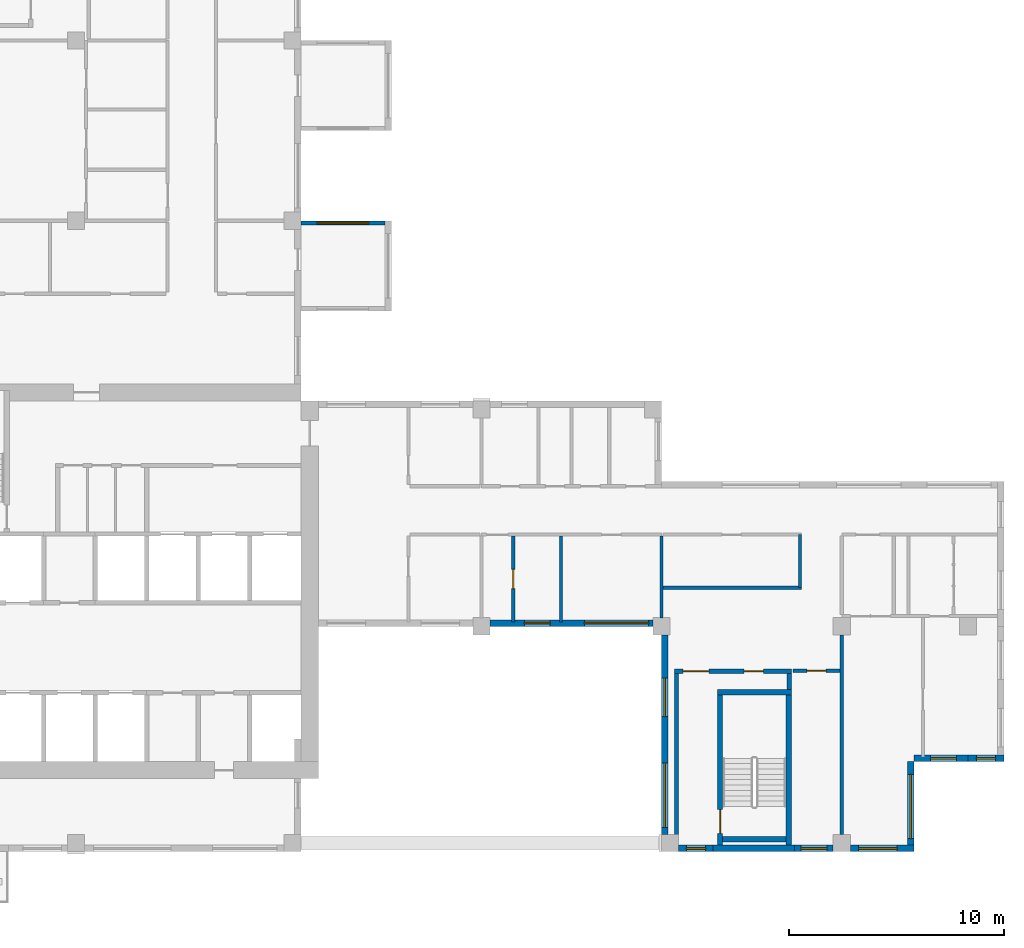
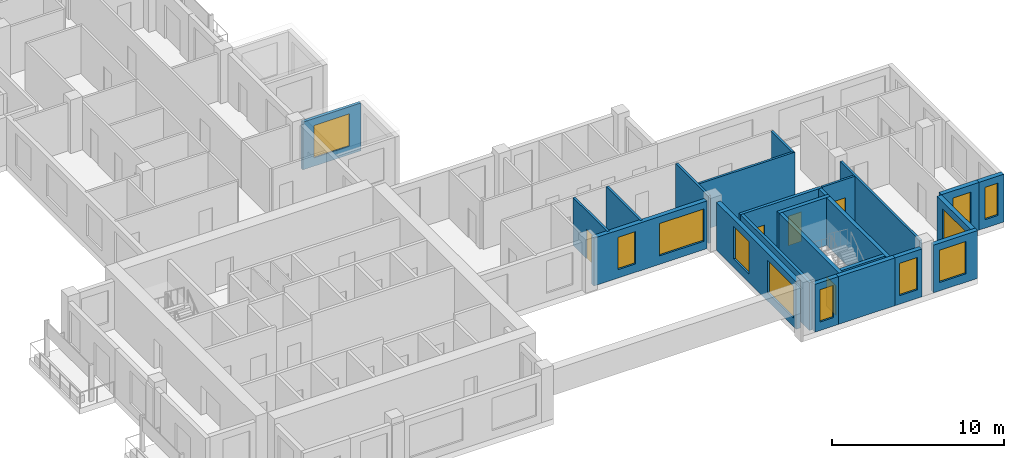
# One storey, part 4 of 11: 24 walls, 11 windows, 5 doors, 16 openings.
"""IFC4 building model written with IfcOpenShell, lengths in metres."""

from ifc_helpers import new_model, si_unit, direction, frame, frame_2d, origin, place, context, subcontext, project, spatial, rectangle, extrude, source, transform, mapped, material, layer, layer_set, type_object, element, fill, save


model = new_model("IFC4")

# Units and contexts
model_context = context("Model", 3, precision=1e-05, world=origin(), true_north=direction((0.0, 1.0)))
body_context = subcontext(model_context, "Body", "Model", "MODEL_VIEW")
ifc_project = project(units=[si_unit("LENGTHUNIT", "METRE"), si_unit("AREAUNIT", "SQUARE_METRE"), si_unit("VOLUMEUNIT", "CUBIC_METRE"), si_unit("PLANEANGLEUNIT", "RADIAN"), si_unit("MASSUNIT", "GRAM", prefix="KILO")], contexts=[model_context])

# Site, building, storey
site_placement = place(None, origin())
site = spatial("IfcSite", under=ifc_project, at=site_placement, CompositionType="ELEMENT")
building_placement = place(site_placement, origin())
building = spatial("IfcBuilding", under=site, at=building_placement, Name="Aurelian Terraces", CompositionType="ELEMENT")
storey_placement = place(building_placement, frame((0.0, 0.0, 261.4)))
storey = spatial("IfcBuildingStorey", under=building, at=storey_placement, Name="L60", CompositionType="ELEMENT", Elevation=261.4)

# Wall, opening, window
ifc_material_1 = material(Name="Terracotta rainscreen cladding", Category="masonry")
ifc_layer_1 = layer(ifc_material_1, 0.3)
ifc_layer_set_1 = layer_set([ifc_layer_1], Name="EW-300")
wall_type_1 = type_object("IfcWallType", Name="EW-300", PredefinedType="STANDARD", material=ifc_layer_set_1)
shared_shape_1 = source(origin(), body_context, "Body", "SweptSolid", [
    extrude(rectangle(XDim=4.2, YDim=0.3, at=frame_2d((2.1, 0.0))), origin(), (0.0, 0.0, 1.0), 3.4),
])
wall_1_placement = place(storey_placement, frame((49.41, 0.0, 0.0), z_axis=(0.0, 0.0, 1.0), x_axis=(0.0, 1.0, 0.0)))
wall_1 = element("IfcWall", 1, at=wall_1_placement, inside=storey, type_object=wall_type_1, Name="External wall L60 F06.11", PredefinedType="STANDARD", context=body_context, shape_type="MappedRepresentation", body=[
    mapped(shared_shape_1, transform((0.0, 0.0, 0.0), scale=1.0)),
])
shared_shape_2 = source(origin(), body_context, "Body", "SweptSolid", [
    extrude(rectangle(XDim=3.0, YDim=2.3, at=frame_2d((1.5, 1.15))), frame((0.0, 0.16, 0.0), z_axis=(0.0, -1.0, 0.0), x_axis=(1.0, 0.0, 0.0)), (0.0, 0.0, 1.0), 0.32),
])
opening_1_placement = place(wall_1_placement, frame((0.6, 0.0, 0.6)))
opening_1 = element("IfcOpeningElement", 2, at=opening_1_placement, cuts=wall_1, Name="Opening W3023", PredefinedType="OPENING", context=body_context, shape_type="MappedRepresentation", body=[
    mapped(shared_shape_2, transform((0.0, 0.0, 0.0), scale=1.0)),
])
ifc_material_2 = material(Name="Clear glazing", Category="glass")
window_type_1 = type_object("IfcWindowType", Name="W-3000x2300", PartitioningType="SINGLE_PANEL", PredefinedType="WINDOW", material=ifc_material_2)
shared_shape_3 = source(origin(), body_context, "Body", "SweptSolid", [
    extrude(rectangle(XDim=3.0, YDim=2.3, at=frame_2d((1.5, 1.15))), frame((0.0, 0.03, 0.0), z_axis=(0.0, -1.0, 0.0), x_axis=(1.0, 0.0, 0.0)), (0.0, 0.0, 1.0), 0.06),
])
window_1_placement = place(opening_1_placement, origin())
window_1 = element("IfcWindow", 3, at=window_1_placement, inside=storey, type_object=window_type_1, Name="Window L60 L60-F06-11-0", OverallHeight=2.3, OverallWidth=3.0, PartitioningType="SINGLE_PANEL", PredefinedType="WINDOW", context=body_context, shape_type="MappedRepresentation", body=[
    mapped(shared_shape_3, transform((0.0, 0.0, 0.0), scale=1.0)),
])
fill(opening_1, window_1)

shared_shape_4 = source(origin(), body_context, "Body", "SweptSolid", [
    extrude(rectangle(XDim=2.52, YDim=0.3, at=frame_2d((1.26, 0.0))), origin(), (0.0, 0.0, 1.0), 3.4),
])
wall_2_placement = place(storey_placement, frame((49.56, 4.35, 0.0), z_axis=(0.0, 0.0, 1.0), x_axis=(1.0, 0.0, 0.0)))
wall_2 = element("IfcWall", 4, at=wall_2_placement, inside=storey, type_object=wall_type_1, Name="External wall L60 F07.12", PredefinedType="STANDARD", context=body_context, shape_type="MappedRepresentation", body=[
    mapped(shared_shape_4, transform((0.0, 0.0, 0.0), scale=1.0)),
])
shared_shape_5 = source(origin(), body_context, "Body", "SweptSolid", [
    extrude(rectangle(XDim=1.2, YDim=2.3, at=frame_2d((0.6, 1.15))), frame((0.0, 0.16, 0.0), z_axis=(0.0, -1.0, 0.0), x_axis=(1.0, 0.0, 0.0)), (0.0, 0.0, 1.0), 0.32),
])
opening_2_placement = place(wall_2_placement, frame((0.7775, 0.0, 0.6)))
opening_2 = element("IfcOpeningElement", 5, at=opening_2_placement, cuts=wall_2, Name="Opening W1223", PredefinedType="OPENING", context=body_context, shape_type="MappedRepresentation", body=[
    mapped(shared_shape_5, transform((0.0, 0.0, 0.0), scale=1.0)),
])
window_type_2 = type_object("IfcWindowType", Name="W-1200x2300", PartitioningType="SINGLE_PANEL", PredefinedType="WINDOW", material=ifc_material_2)
shared_shape_6 = source(origin(), body_context, "Body", "SweptSolid", [
    extrude(rectangle(XDim=1.2, YDim=2.3, at=frame_2d((0.6, 1.15))), frame((0.0, 0.03, 0.0), z_axis=(0.0, -1.0, 0.0), x_axis=(1.0, 0.0, 0.0)), (0.0, 0.0, 1.0), 0.06),
])
window_2_placement = place(opening_2_placement, origin())
window_2 = element("IfcWindow", 6, at=window_2_placement, inside=storey, type_object=window_type_2, Name="Window L60 L60-F07-12-P0", OverallHeight=2.3, OverallWidth=1.2, PartitioningType="SINGLE_PANEL", PredefinedType="WINDOW", context=body_context, shape_type="MappedRepresentation", body=[
    mapped(shared_shape_6, transform((0.0, 0.0, 0.0), scale=1.0)),
])
fill(opening_2, window_2)

shared_shape_7 = source(origin(), body_context, "Body", "SweptSolid", [
    extrude(rectangle(XDim=1.68, YDim=0.3, at=frame_2d((0.84, 0.0))), origin(), (0.0, 0.0, 1.0), 3.4),
])
wall_3_placement = place(storey_placement, frame((52.08, 4.35, 0.0), z_axis=(0.0, 0.0, 1.0), x_axis=(1.0, 0.0, 0.0)))
wall_3 = element("IfcWall", 7, at=wall_3_placement, inside=storey, type_object=wall_type_1, Name="External wall L60 F07.13", PredefinedType="STANDARD", context=body_context, shape_type="MappedRepresentation", body=[
    mapped(shared_shape_7, transform((0.0, 0.0, 0.0), scale=1.0)),
])
shared_shape_8 = source(origin(), body_context, "Body", "SweptSolid", [
    extrude(rectangle(XDim=0.9, YDim=2.3, at=frame_2d((0.45, 1.15))), frame((0.0, 0.16, 0.0), z_axis=(0.0, -1.0, 0.0), x_axis=(1.0, 0.0, 0.0)), (0.0, 0.0, 1.0), 0.32),
])
opening_3_placement = place(wall_3_placement, frame((0.39, 0.0, 0.6)))
opening_3 = element("IfcOpeningElement", 8, at=opening_3_placement, cuts=wall_3, Name="Opening W0923", PredefinedType="OPENING", context=body_context, shape_type="MappedRepresentation", body=[
    mapped(shared_shape_8, transform((0.0, 0.0, 0.0), scale=1.0)),
])
window_type_3 = type_object("IfcWindowType", Name="W-900x2300", PartitioningType="SINGLE_PANEL", PredefinedType="WINDOW", material=ifc_material_2)
shared_shape_9 = source(origin(), body_context, "Body", "SweptSolid", [
    extrude(rectangle(XDim=0.9, YDim=2.3, at=frame_2d((0.45, 1.15))), frame((0.0, 0.03, 0.0), z_axis=(0.0, -1.0, 0.0), x_axis=(1.0, 0.0, 0.0)), (0.0, 0.0, 1.0), 0.06),
])
window_3_placement = place(opening_3_placement, origin())
window_3 = element("IfcWindow", 9, at=window_3_placement, inside=storey, type_object=window_type_3, Name="Window L60 L60-F07-13-P0", OverallHeight=2.3, OverallWidth=0.9, PartitioningType="SINGLE_PANEL", PredefinedType="WINDOW", context=body_context, shape_type="MappedRepresentation", body=[
    mapped(shared_shape_9, transform((0.0, 0.0, 0.0), scale=1.0)),
])
fill(opening_3, window_3)

ifc_material_3 = material(Name="Concrete fc' 40 MPa", Category="concrete")
ifc_layer_2 = layer(ifc_material_3, 0.2)
ifc_layer_set_2 = layer_set([ifc_layer_2], Name="BOX BEARING WALL 200")
wall_type_2 = type_object("IfcWallType", Name="BOX BEARING WALL 200", PredefinedType="SOLIDWALL", material=ifc_layer_set_2)
shared_shape_10 = source(origin(), body_context, "Body", "SweptSolid", [
    extrude(rectangle(XDim=3.9, YDim=0.2, at=frame_2d((1.95, 0.0))), origin(), (0.0, 0.0, 1.0), 3.4),
])
wall_4_placement = place(storey_placement, frame((21.0, 29.3, 0.0), z_axis=(0.0, 0.0, 1.0), x_axis=(1.0, 0.0, 0.0)))
wall_4 = element("IfcWall", 10, at=wall_4_placement, inside=storey, type_object=wall_type_2, Name="Box return L60 J86.2", PredefinedType="SOLIDWALL", context=body_context, shape_type="MappedRepresentation", body=[
    mapped(shared_shape_10, transform((0.0, 0.0, 0.0), scale=1.0)),
])
shared_shape_11 = source(origin(), body_context, "Body", "SweptSolid", [
    extrude(rectangle(XDim=2.4, YDim=2.3, at=frame_2d((1.2, 1.15))), frame((0.0, 0.11, 0.0), z_axis=(0.0, -1.0, 0.0), x_axis=(1.0, 0.0, 0.0)), (0.0, 0.0, 1.0), 0.22),
])
opening_4_placement = place(wall_4_placement, frame((0.75, 0.0, 0.6)))
opening_4 = element("IfcOpeningElement", 11, at=opening_4_placement, cuts=wall_4, Name="Opening W2423", PredefinedType="OPENING", context=body_context, shape_type="MappedRepresentation", body=[
    mapped(shared_shape_11, transform((0.0, 0.0, 0.0), scale=1.0)),
])
window_type_4 = type_object("IfcWindowType", Name="W-2400x2300", PartitioningType="SINGLE_PANEL", PredefinedType="WINDOW", material=ifc_material_2)
shared_shape_12 = source(origin(), body_context, "Body", "SweptSolid", [
    extrude(rectangle(XDim=2.4, YDim=2.3, at=frame_2d((1.2, 1.15))), frame((0.0, 0.03, 0.0), z_axis=(0.0, -1.0, 0.0), x_axis=(1.0, 0.0, 0.0)), (0.0, 0.0, 1.0), 0.06),
])
window_4_placement = place(opening_4_placement, origin())
window_4 = element("IfcWindow", 12, at=window_4_placement, inside=storey, type_object=window_type_4, Name="Window L60 J86-S2", OverallHeight=2.3, OverallWidth=2.4, PartitioningType="SINGLE_PANEL", PredefinedType="WINDOW", context=body_context, shape_type="MappedRepresentation", body=[
    mapped(shared_shape_12, transform((0.0, 0.0, 0.0), scale=1.0)),
])
fill(opening_4, window_4)

# Wall
ifc_layer_3 = layer(ifc_material_3, 0.3)
ifc_layer_set_3 = layer_set([ifc_layer_3], Name="STAIR BAY WALL 300")
wall_type_3 = type_object("IfcWallType", Name="STAIR BAY WALL 300", PredefinedType="SOLIDWALL", material=ifc_layer_set_3)
shared_shape_13 = source(origin(), body_context, "Body", "SweptSolid", [
    extrude(rectangle(XDim=3.8, YDim=0.3, at=frame_2d((1.9, 0.0))), origin(), (0.0, 0.0, 1.0), 3.4),
])
wall_5_placement = place(storey_placement, frame((40.2, 0.15, 0.0), z_axis=(0.0, 0.0, 1.0), x_axis=(1.0, 0.0, 0.0)))
element("IfcWall", 13, at=wall_5_placement, inside=storey, type_object=wall_type_3, Name="Stair bay wall L60 F05.9", PredefinedType="SOLIDWALL", context=body_context, shape_type="MappedRepresentation", body=[
    mapped(shared_shape_13, transform((0.0, 0.0, 0.0), scale=1.0)),
])

# Wall, openings, windows
shared_shape_14 = source(origin(), body_context, "Body", "SweptSolid", [
    extrude(rectangle(XDim=7.6, YDim=0.3, at=frame_2d((3.8, 0.0))), origin(), (0.0, 0.0, 1.0), 3.4),
])
wall_6_placement = place(storey_placement, frame((29.8, 10.65, 0.0), z_axis=(0.0, 0.0, 1.0), x_axis=(1.0, 0.0, 0.0)))
wall_6 = element("IfcWall", 14, at=wall_6_placement, inside=storey, type_object=wall_type_1, Name="External wall L60 F03.7", PredefinedType="STANDARD", context=body_context, shape_type="MappedRepresentation", body=[
    mapped(shared_shape_14, transform((0.0, 0.0, 0.0), scale=1.0)),
])
opening_5_placement = place(wall_6_placement, frame((1.6015, 0.0, 0.6)))
opening_5 = element("IfcOpeningElement", 15, at=opening_5_placement, cuts=wall_6, Name="Opening W1223", PredefinedType="OPENING", context=body_context, shape_type="MappedRepresentation", body=[
    mapped(shared_shape_5, transform((0.0, 0.0, 0.0), scale=1.0)),
])
opening_6_placement = place(wall_6_placement, frame((4.4, 0.0, 0.6)))
opening_6 = element("IfcOpeningElement", 16, at=opening_6_placement, cuts=wall_6, Name="Opening W3023", PredefinedType="OPENING", context=body_context, shape_type="MappedRepresentation", body=[
    mapped(shared_shape_2, transform((0.0, 0.0, 0.0), scale=1.0)),
])
window_5_placement = place(opening_6_placement, origin())
window_5 = element("IfcWindow", 17, at=window_5_placement, inside=storey, type_object=window_type_1, Name="Window L60 L60-F03-07-1", OverallHeight=2.3, OverallWidth=3.0, PartitioningType="SINGLE_PANEL", PredefinedType="WINDOW", context=body_context, shape_type="MappedRepresentation", body=[
    mapped(shared_shape_3, transform((0.0, 0.0, 0.0), scale=1.0)),
])
fill(opening_6, window_5)
window_6_placement = place(opening_5_placement, origin())
window_6 = element("IfcWindow", 18, at=window_6_placement, inside=storey, type_object=window_type_2, Name="Window L60 L60-F03-07-0", OverallHeight=2.3, OverallWidth=1.2, PartitioningType="SINGLE_PANEL", PredefinedType="WINDOW", context=body_context, shape_type="MappedRepresentation", body=[
    mapped(shared_shape_6, transform((0.0, 0.0, 0.0), scale=1.0)),
])
fill(opening_5, window_6)

# Wall, opening, window
shared_shape_15 = source(origin(), body_context, "Body", "SweptSolid", [
    extrude(rectangle(XDim=2.96, YDim=0.3, at=frame_2d((1.48, 0.0))), origin(), (0.0, 0.0, 1.0), 3.4),
])
wall_7_placement = place(storey_placement, frame((46.6, 0.15, 0.0), z_axis=(0.0, 0.0, 1.0), x_axis=(1.0, 0.0, 0.0)))
wall_7 = element("IfcWall", 19, at=wall_7_placement, inside=storey, type_object=wall_type_1, Name="External wall L60 F05.10", PredefinedType="STANDARD", context=body_context, shape_type="MappedRepresentation", body=[
    mapped(shared_shape_15, transform((0.0, 0.0, 0.0), scale=1.0)),
])
shared_shape_16 = source(origin(), body_context, "Body", "SweptSolid", [
    extrude(rectangle(XDim=1.8, YDim=2.3, at=frame_2d((0.9, 1.15))), frame((0.0, 0.16, 0.0), z_axis=(0.0, -1.0, 0.0), x_axis=(1.0, 0.0, 0.0)), (0.0, 0.0, 1.0), 0.32),
])
opening_7_placement = place(wall_7_placement, frame((0.38, 0.0, 0.6)))
opening_7 = element("IfcOpeningElement", 20, at=opening_7_placement, cuts=wall_7, Name="Opening W1823", PredefinedType="OPENING", context=body_context, shape_type="MappedRepresentation", body=[
    mapped(shared_shape_16, transform((0.0, 0.0, 0.0), scale=1.0)),
])
window_type_5 = type_object("IfcWindowType", Name="W-1800x2300", PartitioningType="SINGLE_PANEL", PredefinedType="WINDOW", material=ifc_material_2)
shared_shape_17 = source(origin(), body_context, "Body", "SweptSolid", [
    extrude(rectangle(XDim=1.8, YDim=2.3, at=frame_2d((0.9, 1.15))), frame((0.0, 0.03, 0.0), z_axis=(0.0, -1.0, 0.0), x_axis=(1.0, 0.0, 0.0)), (0.0, 0.0, 1.0), 0.06),
])
window_7_placement = place(opening_7_placement, origin())
window_7 = element("IfcWindow", 21, at=window_7_placement, inside=storey, type_object=window_type_5, Name="Window L60 L60-F05-10-0", OverallHeight=2.3, OverallWidth=1.8, PartitioningType="SINGLE_PANEL", PredefinedType="WINDOW", context=body_context, shape_type="MappedRepresentation", body=[
    mapped(shared_shape_17, transform((0.0, 0.0, 0.0), scale=1.0)),
])
fill(opening_7, window_7)

shared_shape_18 = source(origin(), body_context, "Body", "SweptSolid", [
    extrude(rectangle(XDim=1.8, YDim=0.3, at=frame_2d((0.9, 0.0))), origin(), (0.0, 0.0, 1.0), 3.4),
])
wall_8_placement = place(storey_placement, frame((44.0, 0.15, 0.0), z_axis=(0.0, 0.0, 1.0), x_axis=(1.0, 0.0, 0.0)))
wall_8 = element("IfcWall", 22, at=wall_8_placement, inside=storey, type_object=wall_type_1, Name="External wall L60 F05.9", PredefinedType="STANDARD", context=body_context, shape_type="MappedRepresentation", body=[
    mapped(shared_shape_18, transform((0.0, 0.0, 0.0), scale=1.0)),
])
opening_8_placement = place(wall_8_placement, frame((0.3, 0.0, 0.6)))
opening_8 = element("IfcOpeningElement", 23, at=opening_8_placement, cuts=wall_8, Name="Opening W1223", PredefinedType="OPENING", context=body_context, shape_type="MappedRepresentation", body=[
    mapped(shared_shape_5, transform((0.0, 0.0, 0.0), scale=1.0)),
])
window_8_placement = place(opening_8_placement, origin())
window_8 = element("IfcWindow", 24, at=window_8_placement, inside=storey, type_object=window_type_2, Name="Window L60 L60-F05-09-P2", OverallHeight=2.3, OverallWidth=1.2, PartitioningType="SINGLE_PANEL", PredefinedType="WINDOW", context=body_context, shape_type="MappedRepresentation", body=[
    mapped(shared_shape_6, transform((0.0, 0.0, 0.0), scale=1.0)),
])
fill(opening_8, window_8)

# Wall, openings, windows
shared_shape_19 = source(origin(), body_context, "Body", "SweptSolid", [
    extrude(rectangle(XDim=9.3, YDim=0.3, at=frame_2d((4.65, 0.0))), origin(), (0.0, 0.0, 1.0), 3.4),
])
wall_9_placement = place(storey_placement, frame((37.95, 10.1, 0.0), z_axis=(0.0, 0.0, 1.0), x_axis=(0.0, -1.0, 0.0)))
wall_9 = element("IfcWall", 25, at=wall_9_placement, inside=storey, type_object=wall_type_1, Name="External wall L60 F04.8", PredefinedType="STANDARD", context=body_context, shape_type="MappedRepresentation", body=[
    mapped(shared_shape_19, transform((0.0, 0.0, 0.0), scale=1.0)),
])
opening_9_placement = place(wall_9_placement, frame((2.0125, 0.0, 0.6)))
opening_9 = element("IfcOpeningElement", 26, at=opening_9_placement, cuts=wall_9, Name="Opening W1823", PredefinedType="OPENING", context=body_context, shape_type="MappedRepresentation", body=[
    mapped(shared_shape_16, transform((0.0, 0.0, 0.0), scale=1.0)),
])
opening_10_placement = place(wall_9_placement, frame((5.975, 0.0, 0.6)))
opening_10 = element("IfcOpeningElement", 27, at=opening_10_placement, cuts=wall_9, Name="Opening W3023", PredefinedType="OPENING", context=body_context, shape_type="MappedRepresentation", body=[
    mapped(shared_shape_2, transform((0.0, 0.0, 0.0), scale=1.0)),
])
window_9_placement = place(opening_10_placement, origin())
window_9 = element("IfcWindow", 28, at=window_9_placement, inside=storey, type_object=window_type_1, Name="Window L60 L60-F04-08-1", OverallHeight=2.3, OverallWidth=3.0, PartitioningType="SINGLE_PANEL", PredefinedType="WINDOW", context=body_context, shape_type="MappedRepresentation", body=[
    mapped(shared_shape_3, transform((0.0, 0.0, 0.0), scale=1.0)),
])
fill(opening_10, window_9)
window_10_placement = place(opening_9_placement, origin())
window_10 = element("IfcWindow", 29, at=window_10_placement, inside=storey, type_object=window_type_5, Name="Window L60 L60-F04-08-0", OverallHeight=2.3, OverallWidth=1.8, PartitioningType="SINGLE_PANEL", PredefinedType="WINDOW", context=body_context, shape_type="MappedRepresentation", body=[
    mapped(shared_shape_17, transform((0.0, 0.0, 0.0), scale=1.0)),
])
fill(opening_9, window_10)

# Wall, opening, window
shared_shape_20 = source(origin(), body_context, "Body", "SweptSolid", [
    extrude(rectangle(XDim=1.6, YDim=0.3, at=frame_2d((0.8, 0.0))), origin(), (0.0, 0.0, 1.0), 3.4),
])
wall_10_placement = place(storey_placement, frame((38.6, 0.15, 0.0), z_axis=(0.0, 0.0, 1.0), x_axis=(1.0, 0.0, 0.0)))
wall_10 = element("IfcWall", 30, at=wall_10_placement, inside=storey, type_object=wall_type_1, Name="External wall L60 F05.9", PredefinedType="STANDARD", context=body_context, shape_type="MappedRepresentation", body=[
    mapped(shared_shape_20, transform((0.0, 0.0, 0.0), scale=1.0)),
])
opening_11_placement = place(wall_10_placement, frame((0.35, 0.0, 0.6)))
opening_11 = element("IfcOpeningElement", 31, at=opening_11_placement, cuts=wall_10, Name="Opening W0923", PredefinedType="OPENING", context=body_context, shape_type="MappedRepresentation", body=[
    mapped(shared_shape_8, transform((0.0, 0.0, 0.0), scale=1.0)),
])
window_11_placement = place(opening_11_placement, origin())
window_11 = element("IfcWindow", 32, at=window_11_placement, inside=storey, type_object=window_type_3, Name="Window L60 L60-F05-09-P0", OverallHeight=2.3, OverallWidth=0.9, PartitioningType="SINGLE_PANEL", PredefinedType="WINDOW", context=body_context, shape_type="MappedRepresentation", body=[
    mapped(shared_shape_9, transform((0.0, 0.0, 0.0), scale=1.0)),
])
fill(opening_11, window_11)

# Wall, opening, door
ifc_layer_4 = layer(ifc_material_3, 0.25)
ifc_layer_set_4 = layer_set([ifc_layer_4], Name="Stair enclosure wall 250")
wall_type_4 = type_object("IfcWallType", Name="Stair enclosure wall 250", PredefinedType="SOLIDWALL", material=ifc_layer_set_4)
shared_shape_21 = source(origin(), body_context, "Body", "SweptSolid", [
    extrude(rectangle(XDim=7.0, YDim=0.25, at=frame_2d((3.5, 0.0))), origin(), (0.0, 0.0, 1.0), 3.4),
])
wall_11_placement = place(storey_placement, frame((40.525, 0.3, 0.0), z_axis=(0.0, 0.0, 1.0), x_axis=(0.0, 1.0, 0.0)))
wall_11 = element("IfcWall", 33, at=wall_11_placement, inside=storey, type_object=wall_type_4, Name="L60 core wall ST-S2-W", PredefinedType="SOLIDWALL", context=body_context, shape_type="MappedRepresentation", body=[
    mapped(shared_shape_21, transform((0.0, 0.0, 0.0), scale=1.0)),
])
shared_shape_22 = source(origin(), body_context, "Body", "SweptSolid", [
    extrude(rectangle(XDim=1.1, YDim=2.1, at=frame_2d((0.55, 1.05))), frame((0.0, 0.135, 0.0), z_axis=(0.0, -1.0, 0.0), x_axis=(1.0, 0.0, 0.0)), (0.0, 0.0, 1.0), 0.27),
])
opening_12_placement = place(wall_11_placement, frame((0.55, 0.0, 0.0)))
opening_12 = element("IfcOpeningElement", 34, at=opening_12_placement, cuts=wall_11, Name="Opening 66317", PredefinedType="OPENING", context=body_context, shape_type="MappedRepresentation", body=[
    mapped(shared_shape_22, transform((0.0, 0.0, 0.0), scale=1.0)),
])
ifc_material_4 = material(Name="Steel door leaf", Category="steel")
door_type_1 = type_object("IfcDoorType", Name="Core fire door 1100x2100", OperationType="SINGLE_SWING_LEFT", PredefinedType="DOOR", material=ifc_material_4)
shared_shape_23 = source(origin(), body_context, "Body", "SweptSolid", [
    extrude(rectangle(XDim=1.1, YDim=2.1, at=frame_2d((0.55, 1.05))), frame((0.0, 0.025, 0.0), z_axis=(0.0, -1.0, 0.0), x_axis=(1.0, 0.0, 0.0)), (0.0, 0.0, 1.0), 0.05),
])
door_1_placement = place(opening_12_placement, origin())
door_1 = element("IfcDoor", 35, at=door_1_placement, inside=storey, type_object=door_type_1, Name="Stair door 66317", OperationType="SINGLE_SWING_LEFT", OverallHeight=2.1, OverallWidth=1.1, PredefinedType="DOOR", context=body_context, shape_type="MappedRepresentation", body=[
    mapped(shared_shape_23, transform((0.0, 0.0, 0.0), scale=1.0)),
])
fill(opening_12, door_1)

# Walls
wall_12_placement = place(storey_placement, frame((43.725, 0.3, 0.0), z_axis=(0.0, 0.0, 1.0), x_axis=(0.0, 1.0, 0.0)))
element("IfcWall", 36, at=wall_12_placement, inside=storey, type_object=wall_type_4, Name="L60 core wall ST-S2-E", PredefinedType="SOLIDWALL", context=body_context, shape_type="MappedRepresentation", body=[
    mapped(shared_shape_21, transform((0.0, 0.0, 0.0), scale=1.0)),
])
shared_shape_24 = source(origin(), body_context, "Body", "SweptSolid", [
    extrude(rectangle(XDim=3.45, YDim=0.25, at=frame_2d((1.725, 0.0))), origin(), (0.0, 0.0, 1.0), 3.4),
])
wall_13_placement = place(storey_placement, frame((40.4, 7.425, 0.0), z_axis=(0.0, 0.0, 1.0), x_axis=(1.0, 0.0, 0.0)))
element("IfcWall", 37, at=wall_13_placement, inside=storey, type_object=wall_type_4, Name="L60 core wall ST-S2-N", PredefinedType="SOLIDWALL", context=body_context, shape_type="MappedRepresentation", body=[
    mapped(shared_shape_24, transform((0.0, 0.0, 0.0), scale=1.0)),
])
shared_shape_25 = source(origin(), body_context, "Body", "SweptSolid", [
    extrude(rectangle(XDim=2.95, YDim=0.25, at=frame_2d((1.475, 0.0))), origin(), (0.0, 0.0, 1.0), 3.4),
])
wall_14_placement = place(storey_placement, frame((40.65, 0.575, 0.0), z_axis=(0.0, 0.0, 1.0), x_axis=(1.0, 0.0, 0.0)))
element("IfcWall", 38, at=wall_14_placement, inside=storey, type_object=wall_type_4, Name="L60 core wall ST-S2-SS", PredefinedType="SOLIDWALL", context=body_context, shape_type="MappedRepresentation", body=[
    mapped(shared_shape_25, transform((0.0, 0.0, 0.0), scale=1.0)),
])

# Wall, openings, doors
ifc_material_5 = material(Name="Gypsum board on steel studs", Category="steel")
ifc_layer_5 = layer(ifc_material_5, 0.2)
ifc_layer_set_5 = layer_set([ifc_layer_5], Name="Core partition 200")
wall_type_5 = type_object("IfcWallType", Name="Core partition 200", PredefinedType="PARTITIONING", material=ifc_layer_set_5)
shared_shape_26 = source(origin(), body_context, "Body", "SweptSolid", [
    extrude(rectangle(XDim=5.45, YDim=0.2, at=frame_2d((2.725, 0.0))), origin(), (0.0, 0.0, 1.0), 3.4),
])
wall_15_placement = place(storey_placement, frame((38.4, 8.4, 0.0), z_axis=(0.0, 0.0, 1.0), x_axis=(1.0, 0.0, 0.0)))
wall_15 = element("IfcWall", 39, at=wall_15_placement, inside=storey, type_object=wall_type_5, Name="L60 core wall ST-S2-BN", PredefinedType="PARTITIONING", context=body_context, shape_type="MappedRepresentation", body=[
    mapped(shared_shape_26, transform((0.0, 0.0, 0.0), scale=1.0)),
])
shared_shape_27 = source(origin(), body_context, "Body", "SweptSolid", [
    extrude(rectangle(XDim=1.2, YDim=2.1, at=frame_2d((0.6, 1.05))), frame((0.0, 0.11, 0.0), z_axis=(0.0, -1.0, 0.0), x_axis=(1.0, 0.0, 0.0)), (0.0, 0.0, 1.0), 0.22),
])
opening_13_placement = place(wall_15_placement, frame((0.4, 0.0, 0.0)))
opening_13 = element("IfcOpeningElement", 40, at=opening_13_placement, cuts=wall_15, Name="Opening 66318", PredefinedType="OPENING", context=body_context, shape_type="MappedRepresentation", body=[
    mapped(shared_shape_27, transform((0.0, 0.0, 0.0), scale=1.0)),
])
shared_shape_28 = source(origin(), body_context, "Body", "SweptSolid", [
    extrude(rectangle(XDim=0.9, YDim=2.1, at=frame_2d((0.45, 1.05))), frame((0.0, 0.11, 0.0), z_axis=(0.0, -1.0, 0.0), x_axis=(1.0, 0.0, 0.0)), (0.0, 0.0, 1.0), 0.22),
])
opening_14_placement = place(wall_15_placement, frame((3.25, 0.0, 0.0)))
opening_14 = element("IfcOpeningElement", 41, at=opening_14_placement, cuts=wall_15, Name="Opening 66319", PredefinedType="OPENING", context=body_context, shape_type="MappedRepresentation", body=[
    mapped(shared_shape_28, transform((0.0, 0.0, 0.0), scale=1.0)),
])
door_type_2 = type_object("IfcDoorType", Name="Core riser door 900x2100", OperationType="SINGLE_SWING_LEFT", PredefinedType="DOOR", material=ifc_material_4)
shared_shape_29 = source(origin(), body_context, "Body", "SweptSolid", [
    extrude(rectangle(XDim=0.9, YDim=2.1, at=frame_2d((0.45, 1.05))), frame((0.0, 0.025, 0.0), z_axis=(0.0, -1.0, 0.0), x_axis=(1.0, 0.0, 0.0)), (0.0, 0.0, 1.0), 0.05),
])
door_2_placement = place(opening_14_placement, origin())
door_2 = element("IfcDoor", 42, at=door_2_placement, inside=storey, type_object=door_type_2, Name="Riser door 66319", OperationType="SINGLE_SWING_LEFT", OverallHeight=2.1, OverallWidth=0.9, PredefinedType="DOOR", context=body_context, shape_type="MappedRepresentation", body=[
    mapped(shared_shape_29, transform((0.0, 0.0, 0.0), scale=1.0)),
])
fill(opening_14, door_2)
door_type_3 = type_object("IfcDoorType", Name="Core fire door 1200x2100 right", OperationType="SINGLE_SWING_RIGHT", PredefinedType="DOOR", material=ifc_material_4)
shared_shape_30 = source(origin(), body_context, "Body", "SweptSolid", [
    extrude(rectangle(XDim=1.2, YDim=2.1, at=frame_2d((0.6, 1.05))), frame((0.0, 0.025, 0.0), z_axis=(0.0, -1.0, 0.0), x_axis=(1.0, 0.0, 0.0)), (0.0, 0.0, 1.0), 0.05),
])
door_3_placement = place(opening_13_placement, origin())
door_3 = element("IfcDoor", 43, at=door_3_placement, inside=storey, type_object=door_type_3, Name="Vestibule door 66318", OperationType="SINGLE_SWING_RIGHT", OverallHeight=2.1, OverallWidth=1.2, PredefinedType="DOOR", context=body_context, shape_type="MappedRepresentation", body=[
    mapped(shared_shape_30, transform((0.0, 0.0, 0.0), scale=1.0)),
])
fill(opening_13, door_3)

# Walls
shared_shape_31 = source(origin(), body_context, "Body", "SweptSolid", [
    extrude(rectangle(XDim=0.75, YDim=0.2, at=frame_2d((0.375, 0.0))), origin(), (0.0, 0.0, 1.0), 3.4),
])
wall_16_placement = place(storey_placement, frame((43.75, 7.55, 0.0), z_axis=(0.0, 0.0, 1.0), x_axis=(0.0, 1.0, 0.0)))
element("IfcWall", 44, at=wall_16_placement, inside=storey, type_object=wall_type_5, Name="L60 core wall ST-S2-RE", PredefinedType="PARTITIONING", context=body_context, shape_type="MappedRepresentation", body=[
    mapped(shared_shape_31, transform((0.0, 0.0, 0.0), scale=1.0)),
])
shared_shape_32 = source(origin(), body_context, "Body", "SweptSolid", [
    extrude(rectangle(XDim=8.0, YDim=0.2, at=frame_2d((4.0, 0.0))), origin(), (0.0, 0.0, 1.0), 3.4),
])
wall_17_placement = place(storey_placement, frame((38.5, 0.3, 0.0), z_axis=(0.0, 0.0, 1.0), x_axis=(0.0, 1.0, 0.0)))
element("IfcWall", 45, at=wall_17_placement, inside=storey, type_object=wall_type_5, Name="L60 core wall ST-S2-VW", PredefinedType="PARTITIONING", context=body_context, shape_type="MappedRepresentation", body=[
    mapped(shared_shape_32, transform((0.0, 0.0, 0.0), scale=1.0)),
])
ifc_layer_6 = layer(ifc_material_5, 0.15)
ifc_layer_set_6 = layer_set([ifc_layer_6], Name="Partition 150")
wall_type_6 = type_object("IfcWallType", Name="Partition 150", PredefinedType="PARTITIONING", material=ifc_layer_set_6)
shared_shape_33 = source(origin(), body_context, "Body", "SweptSolid", [
    extrude(rectangle(XDim=6.45, YDim=0.15, at=frame_2d((3.225, 0.0))), origin(), (0.0, 0.0, 1.0), 3.4),
])
wall_18_placement = place(storey_placement, frame((37.875, 12.3, 0.0), z_axis=(0.0, 0.0, 1.0), x_axis=(1.0, 0.0, 0.0)))
element("IfcWall", 46, at=wall_18_placement, inside=storey, type_object=wall_type_6, Name="Partition", PredefinedType="PARTITIONING", context=body_context, shape_type="MappedRepresentation", body=[
    mapped(shared_shape_33, transform((0.0, 0.0, 0.0), scale=1.0)),
])

# Wall, opening, door
shared_shape_34 = source(origin(), body_context, "Body", "SweptSolid", [
    extrude(rectangle(XDim=2.2, YDim=0.15, at=frame_2d((1.1, 0.0))), origin(), (0.0, 0.0, 1.0), 3.4),
])
wall_19_placement = place(storey_placement, frame((46.125, 8.425, 0.0), z_axis=(0.0, 0.0, 1.0), x_axis=(-1.0, 0.0, 0.0)))
wall_19 = element("IfcWall", 47, at=wall_19_placement, inside=storey, type_object=wall_type_6, Name="Partition", PredefinedType="PARTITIONING", context=body_context, shape_type="MappedRepresentation", body=[
    mapped(shared_shape_34, transform((0.0, 0.0, 0.0), scale=1.0)),
])
shared_shape_35 = source(origin(), body_context, "Body", "SweptSolid", [
    extrude(rectangle(XDim=0.9, YDim=2.1, at=frame_2d((0.45, 1.05))), frame((0.0, 0.085, 0.0), z_axis=(0.0, -1.0, 0.0), x_axis=(1.0, 0.0, 0.0)), (0.0, 0.0, 1.0), 0.17),
])
opening_15_placement = place(wall_19_placement, frame((0.65, 0.0, 0.0)))
opening_15 = element("IfcOpeningElement", 48, at=opening_15_placement, cuts=wall_19, Name="Opening 760004", PredefinedType="OPENING", context=body_context, shape_type="MappedRepresentation", body=[
    mapped(shared_shape_35, transform((0.0, 0.0, 0.0), scale=1.0)),
])
ifc_material_6 = material(Name="Timber door leaf", Category="wood")
door_type_4 = type_object("IfcDoorType", Name="Room door 900x2100 left", OperationType="SINGLE_SWING_LEFT", PredefinedType="DOOR", material=ifc_material_6)
door_4_placement = place(opening_15_placement, origin())
door_4 = element("IfcDoor", 49, at=door_4_placement, inside=storey, type_object=door_type_4, Name="Door 760004", OperationType="SINGLE_SWING_LEFT", OverallHeight=2.1, OverallWidth=0.9, PredefinedType="DOOR", context=body_context, shape_type="MappedRepresentation", body=[
    mapped(shared_shape_29, transform((0.0, 0.0, 0.0), scale=1.0)),
])
fill(opening_15, door_4)

shared_shape_36 = source(origin(), body_context, "Body", "SweptSolid", [
    extrude(rectangle(XDim=3.995, YDim=0.15, at=frame_2d((1.9975, 0.0))), origin(), (0.0, 0.0, 1.0), 3.4),
])
wall_20_placement = place(storey_placement, frame((30.8853, 10.705, 0.0), z_axis=(0.0, 0.0, 1.0), x_axis=(0.0, 1.0, 0.0)))
wall_20 = element("IfcWall", 50, at=wall_20_placement, inside=storey, type_object=wall_type_6, Name="Partition", PredefinedType="PARTITIONING", context=body_context, shape_type="MappedRepresentation", body=[
    mapped(shared_shape_36, transform((0.0, 0.0, 0.0), scale=1.0)),
])
opening_16_placement = place(wall_20_placement, frame((1.5475, 0.0, 0.0)))
opening_16 = element("IfcOpeningElement", 51, at=opening_16_placement, cuts=wall_20, Name="Opening 760033", PredefinedType="OPENING", context=body_context, shape_type="MappedRepresentation", body=[
    mapped(shared_shape_35, transform((0.0, 0.0, 0.0), scale=1.0)),
])
door_5_placement = place(opening_16_placement, origin())
door_5 = element("IfcDoor", 52, at=door_5_placement, inside=storey, type_object=door_type_4, Name="Door 760033", OperationType="SINGLE_SWING_LEFT", OverallHeight=2.1, OverallWidth=0.9, PredefinedType="DOOR", context=body_context, shape_type="MappedRepresentation", body=[
    mapped(shared_shape_29, transform((0.0, 0.0, 0.0), scale=1.0)),
])
fill(opening_16, door_5)

# Walls
wall_21_placement = place(storey_placement, frame((33.1182, 10.705, 0.0), z_axis=(0.0, 0.0, 1.0), x_axis=(0.0, 1.0, 0.0)))
element("IfcWall", 53, at=wall_21_placement, inside=storey, type_object=wall_type_6, Name="Partition", PredefinedType="PARTITIONING", context=body_context, shape_type="MappedRepresentation", body=[
    mapped(shared_shape_36, transform((0.0, 0.0, 0.0), scale=1.0)),
])
shared_shape_37 = source(origin(), body_context, "Body", "SweptSolid", [
    extrude(rectangle(XDim=2.475, YDim=0.15, at=frame_2d((1.2375, 0.0))), origin(), (0.0, 0.0, 1.0), 3.4),
])
wall_22_placement = place(storey_placement, frame((44.25, 12.3, 0.0), z_axis=(0.0, 0.0, 1.0), x_axis=(0.0, 1.0, 0.0)))
element("IfcWall", 54, at=wall_22_placement, inside=storey, type_object=wall_type_6, Name="Partition", PredefinedType="PARTITIONING", context=body_context, shape_type="MappedRepresentation", body=[
    mapped(shared_shape_37, transform((0.0, 0.0, 0.0), scale=1.0)),
])
ifc_layer_7 = layer(ifc_material_5, 0.15)
ifc_layer_set_7 = layer_set([ifc_layer_7], Name="Fire partition 150")
wall_type_7 = type_object("IfcWallType", Name="Fire partition 150", PredefinedType="PARTITIONING", material=ifc_layer_set_7)
shared_shape_38 = source(origin(), body_context, "Body", "SweptSolid", [
    extrude(rectangle(XDim=9.302, YDim=0.15, at=frame_2d((4.651, 0.0))), origin(), (0.0, 0.0, 1.0), 3.4),
])
wall_23_placement = place(storey_placement, frame((46.2, 0.799, 0.0), z_axis=(0.0, 0.0, 1.0), x_axis=(0.0, 1.0, 0.0)))
element("IfcWall", 55, at=wall_23_placement, inside=storey, type_object=wall_type_7, Name="Party wall", PredefinedType="PARTITIONING", context=body_context, shape_type="MappedRepresentation", body=[
    mapped(shared_shape_38, transform((0.0, 0.0, 0.0), scale=1.0)),
])
shared_shape_39 = source(origin(), body_context, "Body", "SweptSolid", [
    extrude(rectangle(XDim=3.801, YDim=0.15, at=frame_2d((1.9005, 0.0))), origin(), (0.0, 0.0, 1.0), 3.4),
])
wall_24_placement = place(storey_placement, frame((37.8, 10.899, 0.0), z_axis=(0.0, 0.0, 1.0), x_axis=(0.0, 1.0, 0.0)))
element("IfcWall", 56, at=wall_24_placement, inside=storey, type_object=wall_type_7, Name="Party wall", PredefinedType="PARTITIONING", context=body_context, shape_type="MappedRepresentation", body=[
    mapped(shared_shape_39, transform((0.0, 0.0, 0.0), scale=1.0)),
])

save(model, "model.ifc")
